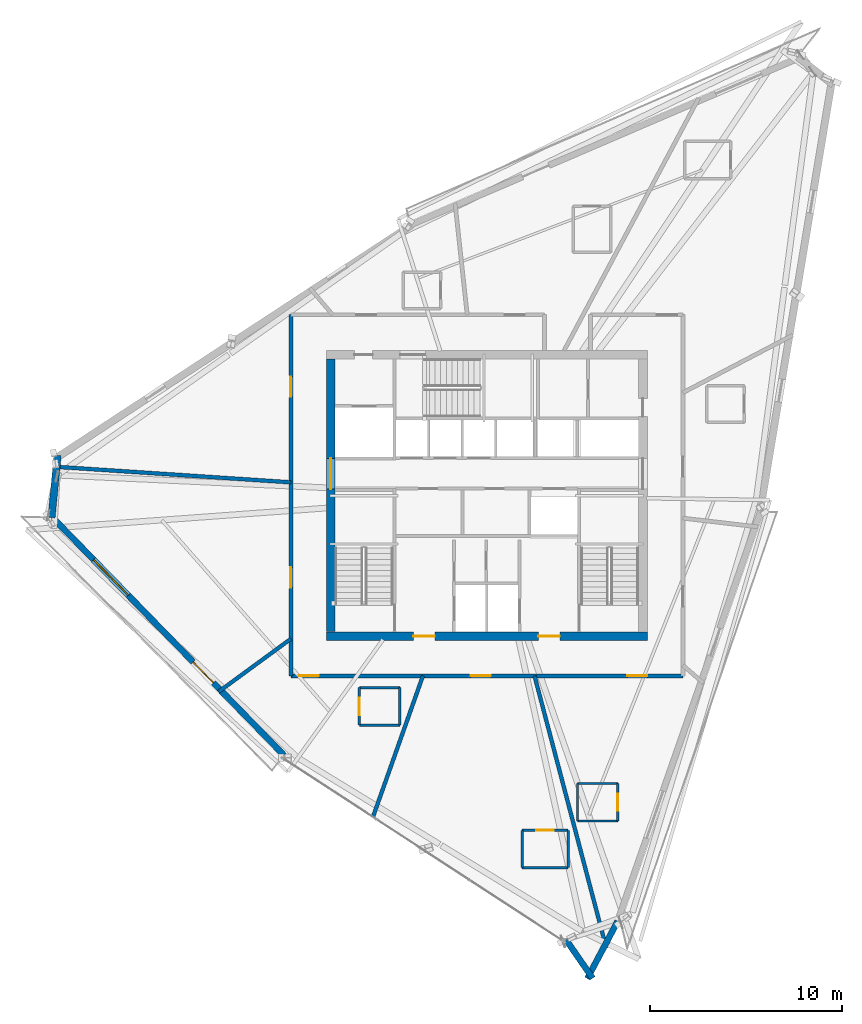
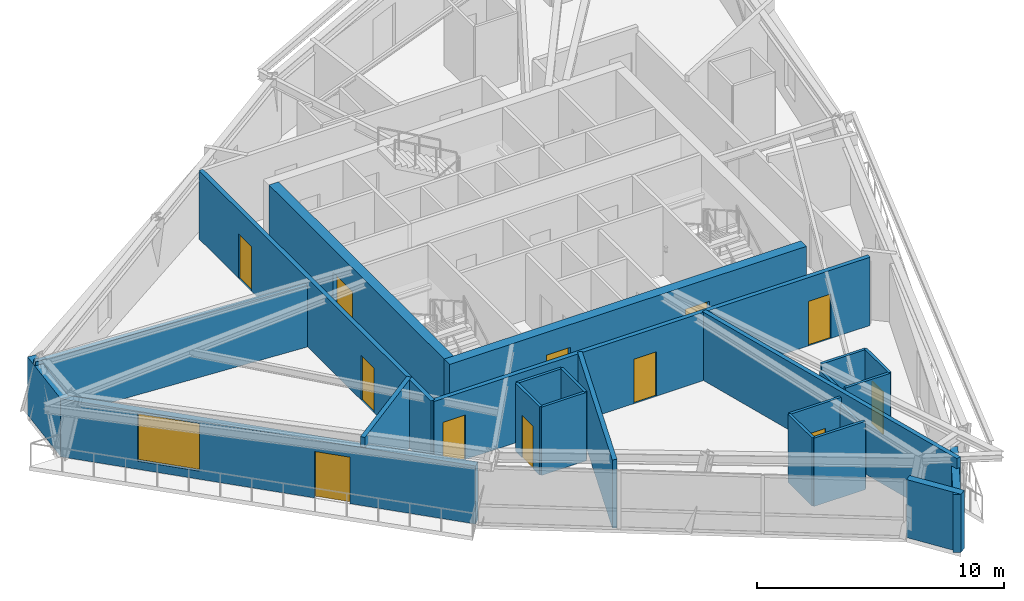
# One storey, part 8 of 14: 24 walls, 12 doors, 1 window, 13 openings.
"""IFC4 building model written with IfcOpenShell, lengths in metres."""

from ifc_helpers import new_model, si_unit, direction, frame, frame_2d, origin, place, context, subcontext, project, spatial, rectangle, extrude, source, transform, mapped, material, layer, layer_set, type_object, type_shapes, element, fill, save


model = new_model("IFC4")

# Units and contexts
model_context = context("Model", 3, precision=1e-05, world=origin(), true_north=direction((0.0, 1.0)))
body_context = subcontext(model_context, "Body", "Model", "MODEL_VIEW")
ifc_project = project(units=[si_unit("LENGTHUNIT", "METRE"), si_unit("AREAUNIT", "SQUARE_METRE"), si_unit("VOLUMEUNIT", "CUBIC_METRE"), si_unit("PLANEANGLEUNIT", "RADIAN"), si_unit("MASSUNIT", "GRAM", prefix="KILO")], contexts=[model_context])

# Site, building, storey
site_placement = place(None, origin())
site = spatial("IfcSite", under=ifc_project, at=site_placement, CompositionType="ELEMENT")
building_placement = place(site_placement, origin())
building = spatial("IfcBuilding", under=site, at=building_placement, Name="Olszyna Solenne Hotel", CompositionType="ELEMENT")
storey_placement = place(building_placement, frame((0.0, 0.0, 252.5)))
storey = spatial("IfcBuildingStorey", under=building, at=storey_placement, Name="L67", CompositionType="ELEMENT", Elevation=252.5)

# Wall, openings, doors
ifc_material_1 = material(Name="Concrete C50/60", Category="concrete")
ifc_layer_1 = layer(ifc_material_1, 0.449951171875, Name="Concrete C50/60")
ifc_layer_set_1 = layer_set([ifc_layer_1], Name="Concrete C50/60")
wall_type_1 = type_object("IfcWallType", Name="WL-CR450", PredefinedType="SHEAR", material=ifc_layer_set_1)
wall_1_placement = place(storey_placement, frame((46.35009765625, 19.27490234375, 0.0), z_axis=(0.0, 0.0, 1.0), x_axis=(-1.0, 0.0, 0.0)))
wall_1 = element("IfcWall", 1, at=wall_1_placement, inside=storey, type_object=wall_type_1, Name="Core shear wall WL-CR450 CRW-L67-S", PredefinedType="SHEAR", context=body_context, shape_type="SweptSolid", body=[
    extrude(rectangle(XDim=16.7001953125, YDim=0.449951171875, at=frame_2d((8.35009765625, 0.0))), origin(), (0.0, 0.0, 1.0), 3.3798828125),
])
opening_1_placement = place(wall_1_placement, frame((4.550048828125, 0.0, 0.0)))
opening_1 = element("IfcOpeningElement", 2, at=opening_1_placement, cuts=wall_1, Name="Opening FL-L67-1", PredefinedType="OPENING", context=body_context, shape_type="SweptSolid", body=[
    extrude(rectangle(XDim=1.1201171875, YDim=2.25, at=frame_2d((0.56005859375, 1.125))), frame((0.0, 0.23486328125, 0.0), z_axis=(0.0, -1.0, 0.0), x_axis=(1.0, 0.0, 0.0)), (0.0, 0.0, 1.0), 0.469970703125),
])
opening_2_placement = place(wall_1_placement, frame((11.050048828125, 0.0, 0.0)))
opening_2 = element("IfcOpeningElement", 3, at=opening_2_placement, cuts=wall_1, Name="Opening FL-L67-2", PredefinedType="OPENING", context=body_context, shape_type="SweptSolid", body=[
    extrude(rectangle(XDim=1.1201171875, YDim=2.25, at=frame_2d((0.56005859375, 1.125))), frame((0.0, 0.23486328125, 0.0), z_axis=(0.0, -1.0, 0.0), x_axis=(1.0, 0.0, 0.0)), (0.0, 0.0, 1.0), 0.469970703125),
])
ifc_material_2 = material(Name="Steel S355J2", Category="steel")
door_type_1 = type_object("IfcDoorType", Name="DR-FL1", OperationType="NOTDEFINED", PredefinedType="DOOR", material=ifc_material_2)
shared_shape_1 = source(origin(), body_context, "Body", "SweptSolid", [
    extrude(rectangle(XDim=1.1201171875, YDim=2.25, at=frame_2d((0.56005859375, 1.125))), frame((0.0, 0.02490234375, 0.0), z_axis=(0.0, -1.0, 0.0), x_axis=(1.0, 0.0, 0.0)), (0.0, 0.0, 1.0), 0.050048828125),
])
type_shapes(door_type_1, [shared_shape_1])
door_1_placement = place(opening_1_placement, origin())
door_1 = element("IfcDoor", 4, at=door_1_placement, inside=storey, type_object=door_type_1, Name="Firefighting lift lobby smoke door FL-L67-1", OperationType="SINGLE_SWING_LEFT", OverallHeight=2.25, OverallWidth=1.1201171875, PredefinedType="DOOR", context=body_context, shape_type="MappedRepresentation", body=[
    mapped(shared_shape_1, transform((0.0, 0.0, 0.0), x_axis=(1.0, 0.0, 0.0), y_axis=(0.0, 1.0, 0.0), z_axis=(0.0, 0.0, 1.0), scale=1.0)),
])
fill(opening_1, door_1)
door_2_placement = place(opening_2_placement, origin())
door_2 = element("IfcDoor", 5, at=door_2_placement, inside=storey, type_object=door_type_1, Name="Firefighting lift lobby smoke door FL-L67-2", OperationType="SINGLE_SWING_RIGHT", OverallHeight=2.25, OverallWidth=1.1201171875, PredefinedType="DOOR", context=body_context, shape_type="MappedRepresentation", body=[
    mapped(shared_shape_1, transform((0.0, 0.0, 0.0), x_axis=(1.0, 0.0, 0.0), y_axis=(0.0, 1.0, 0.0), z_axis=(0.0, 0.0, 1.0), scale=1.0)),
])
fill(opening_2, door_2)

# Wall, opening, door
wall_2_placement = place(storey_placement, frame((29.875, 19.5, 0.0), z_axis=(0.0, 0.0, 1.0), x_axis=(0.0, 1.0, 0.0)))
wall_2 = element("IfcWall", 6, at=wall_2_placement, inside=storey, type_object=wall_type_1, Name="Core shear wall WL-CR450 CRW-L67-W", PredefinedType="SHEAR", context=body_context, shape_type="SweptSolid", body=[
    extrude(rectangle(XDim=14.199951171875, YDim=0.449951171875, at=frame_2d((7.10009765625, 0.0))), origin(), (0.0, 0.0, 1.0), 3.3798828125),
])
opening_3_placement = place(wall_2_placement, frame((7.419921875, 0.0, 0.0)))
opening_3 = element("IfcOpeningElement", 7, at=opening_3_placement, cuts=wall_2, Name="Opening LHD-L67-W", PredefinedType="OPENING", context=body_context, shape_type="SweptSolid", body=[
    extrude(rectangle(XDim=1.60009765625, YDim=2.199951171875, at=frame_2d((0.800048828125, 1.10009765625))), frame((0.0, 0.23486328125, 0.0), z_axis=(0.0, -1.0, 0.0), x_axis=(1.0, 0.0, 0.0)), (0.0, 0.0, 1.0), 0.469970703125),
])
ifc_material_3 = material(Name="Timber hardwood", Category="wood")
door_type_2 = type_object("IfcDoorType", Name="DR-CR1", OperationType="DOUBLE_DOOR_SINGLE_SWING", PredefinedType="DOOR", material=ifc_material_3)
shared_shape_2 = source(origin(), body_context, "Body", "SweptSolid", [
    extrude(rectangle(XDim=1.60009765625, YDim=2.199951171875, at=frame_2d((0.800048828125, 1.10009765625))), frame((0.0, 0.02490234375, 0.0), z_axis=(0.0, -1.0, 0.0), x_axis=(1.0, 0.0, 0.0)), (0.0, 0.0, 1.0), 0.050048828125),
])
type_shapes(door_type_2, [shared_shape_2])
door_3_placement = place(opening_3_placement, origin())
door_3 = element("IfcDoor", 8, at=door_3_placement, inside=storey, type_object=door_type_2, Name="Passenger lift lobby West fire door LHD-L67-W", OperationType="DOUBLE_DOOR_SINGLE_SWING", OverallHeight=2.199951171875, OverallWidth=1.60009765625, PredefinedType="DOOR", context=body_context, shape_type="MappedRepresentation", body=[
    mapped(shared_shape_2, transform((0.0, 0.0, 0.0), x_axis=(1.0, 0.0, 0.0), y_axis=(0.0, 1.0, 0.0), z_axis=(0.0, 0.0, 1.0), scale=1.0)),
])
fill(opening_3, door_3)

# Walls
ifc_material_4 = material(Name="Precast concrete C45/55", Category="concrete")
ifc_layer_2 = layer(ifc_material_4, 0.320068359375, Name="Precast concrete C45/55")
ifc_layer_set_2 = layer_set([ifc_layer_2], Name="Precast concrete C45/55")
wall_type_2 = type_object("IfcWallType", Name="WL-EX320", PredefinedType="SOLIDWALL", material=ifc_layer_set_2)
wall_3_placement = place(storey_placement, frame((44.8115234375, 4.439697265625, 0.0), z_axis=(0.0, 0.0, 1.0), x_axis=(-0.467628956956, -0.883924860277, 0.0)))
element("IfcWall", 9, at=wall_3_placement, inside=storey, type_object=wall_type_2, Name="Exterior terracotta-precast frame wall WL-EX320 EW-L67-02", PredefinedType="SOLIDWALL", context=body_context, shape_type="SweptSolid", body=[
    extrude(rectangle(XDim=3.381591796875, YDim=0.320068359375, at=frame_2d((1.69091796875, 0.0))), origin(), (0.0, 0.0, 1.0), 2.8720703125),
])
wall_4_placement = place(storey_placement, frame((43.503173828125, 1.466796875, 0.0), z_axis=(0.0, 0.0, 1.0), x_axis=(-0.569023575379, 0.822321208934, 0.0)))
element("IfcWall", 10, at=wall_4_placement, inside=storey, type_object=wall_type_2, Name="Exterior terracotta-precast frame wall WL-EX320 EW-L67-03", PredefinedType="SOLIDWALL", context=body_context, shape_type="SweptSolid", body=[
    extrude(rectangle(XDim=2.4521484375, YDim=0.320068359375, at=frame_2d((1.22607421875, 0.0))), origin(), (0.0, 0.0, 1.0), 2.8720703125),
])

# Wall, openings, door, window
wall_5_placement = place(storey_placement, frame((27.4560546875, 13.0517578125, 0.0), z_axis=(0.0, 0.0, 1.0), x_axis=(-0.697464355139, 0.71661947595, 0.0)))
wall_5 = element("IfcWall", 11, at=wall_5_placement, inside=storey, type_object=wall_type_2, Name="Exterior terracotta-precast frame wall WL-EX320 EW-L67-05", PredefinedType="SOLIDWALL", context=body_context, shape_type="SweptSolid", body=[
    extrude(rectangle(XDim=17.47412109375, YDim=0.320068359375, at=frame_2d((8.737060546875, 0.0))), origin(), (0.0, 0.0, 1.0), 2.8720703125),
])
opening_4_placement = place(wall_5_placement, frame((5.2919921875, 0.0, 0.0)))
opening_4 = element("IfcOpeningElement", 12, at=opening_4_placement, cuts=wall_5, Name="Opening LDG-L67-2", PredefinedType="OPENING", context=body_context, shape_type="SweptSolid", body=[
    extrude(rectangle(XDim=1.5, YDim=2.300048828125, at=frame_2d((0.75, 1.14990234375))), frame((0.0, 0.169921875, 0.0), z_axis=(0.0, -1.0, 0.0), x_axis=(1.0, 0.0, 0.0)), (0.0, 0.0, 1.0), 0.340087890625),
])
opening_5_placement = place(wall_5_placement, frame((11.631103515625, 0.0, 0.402099609375)))
opening_5 = element("IfcOpeningElement", 13, at=opening_5_placement, cuts=wall_5, Name="Opening WN-L67-442", PredefinedType="OPENING", context=body_context, shape_type="SweptSolid", body=[
    extrude(rectangle(XDim=2.60009765625, YDim=2.35009765625, at=frame_2d((1.300048828125, 1.175048828125))), frame((0.0, 0.169921875, 0.0), z_axis=(0.0, -1.0, 0.0), x_axis=(1.0, 0.0, 0.0)), (0.0, 0.0, 1.0), 0.340087890625),
])
ifc_material_5 = material(Name="Anodised bronze aluminium", Category="aluminium")
door_type_3 = type_object("IfcDoorType", Name="DR-LG2", OperationType="DOUBLE_DOOR_SINGLE_SWING", PredefinedType="DOOR", material=ifc_material_5)
shared_shape_3 = source(origin(), body_context, "Body", "SweptSolid", [
    extrude(rectangle(XDim=1.5, YDim=2.300048828125, at=frame_2d((0.75, 1.14990234375))), frame((0.0, 0.02490234375, 0.0), z_axis=(0.0, -1.0, 0.0), x_axis=(1.0, 0.0, 0.0)), (0.0, 0.0, 1.0), 0.050048828125),
])
type_shapes(door_type_3, [shared_shape_3])
door_4_placement = place(opening_4_placement, origin())
door_4 = element("IfcDoor", 14, at=door_4_placement, inside=storey, type_object=door_type_3, Name="Exterior loggia balcony door DR-LG2 LDG-L67-2", OperationType="DOUBLE_DOOR_SINGLE_SWING", OverallHeight=2.300048828125, OverallWidth=1.5, PredefinedType="DOOR", context=body_context, shape_type="MappedRepresentation", body=[
    mapped(shared_shape_3, transform((0.0, 0.0, 0.0), x_axis=(1.0, 0.0, 0.0), y_axis=(0.0, 1.0, 0.0), z_axis=(0.0, 0.0, 1.0), scale=1.0)),
])
fill(opening_4, door_4)
ifc_material_6 = material(Name="Low-E triple glazing", Category="glass")
window_type = type_object("IfcWindowType", Name="WN-ST1", PartitioningType="SINGLE_PANEL", PredefinedType="WINDOW", material=ifc_material_6)
shared_shape_4 = source(origin(), body_context, "Body", "SweptSolid", [
    extrude(rectangle(XDim=2.60009765625, YDim=2.35009765625, at=frame_2d((1.300048828125, 1.175048828125))), frame((0.0, 0.030029296875, 0.0), z_axis=(0.0, -1.0, 0.0), x_axis=(1.0, 0.0, 0.0)), (0.0, 0.0, 1.0), 0.06005859375),
])
type_shapes(window_type, [shared_shape_4])
window_placement = place(opening_5_placement, origin())
window = element("IfcWindow", 15, at=window_placement, inside=storey, type_object=window_type, Name="Loggia room window WN-ST1 WN-L67-442", OverallHeight=2.35009765625, OverallWidth=2.60009765625, PartitioningType="SINGLE_PANEL", PredefinedType="WINDOW", context=body_context, shape_type="MappedRepresentation", body=[
    mapped(shared_shape_4, transform((0.0, 0.0, 0.0), x_axis=(1.0, 0.0, 0.0), y_axis=(0.0, 1.0, 0.0), z_axis=(0.0, 0.0, 1.0), scale=1.0)),
])
fill(opening_5, window)

# Walls
ifc_material_7 = material(Name="Terracotta cladding on precast concrete C45/55", Category="masonry")
ifc_layer_3 = layer(ifc_material_7, 0.3798828125, Name="Terracotta cladding on precast concrete C45/55")
ifc_layer_set_3 = layer_set([ifc_layer_3], Name="Terracotta cladding on precast concrete C45/55")
wall_type_3 = type_object("IfcWallType", Name="WL-EX380", PredefinedType="SOLIDWALL", material=ifc_layer_set_3)
wall_6_placement = place(storey_placement, frame((15.343017578125, 25.44384765625, 0.0), z_axis=(0.0, 0.0, 1.0), x_axis=(0.097555380109, 0.995230097923, 0.0)))
element("IfcWall", 16, at=wall_6_placement, inside=storey, type_object=wall_type_3, Name="Exterior terracotta-precast frame wall WL-EX380 EW-L67-06", PredefinedType="SOLIDWALL", context=body_context, shape_type="SweptSolid", body=[
    extrude(rectangle(XDim=3.2509765625, YDim=0.3798828125, at=frame_2d((1.62548828125, 0.0))), origin(), (0.0, 0.0, 1.0), 2.8720703125),
])
ifc_material_8 = material(Name="Acoustic gypsum partition", Category="gypsum")
ifc_layer_4 = layer(ifc_material_8, 0.125, Name="Acoustic gypsum partition")
ifc_layer_set_4 = layer_set([ifc_layer_4], Name="Acoustic gypsum partition")
wall_type_4 = type_object("IfcWallType", Name="WL-PT125", PredefinedType="PARTITIONING", material=ifc_layer_set_4)
wall_7_placement = place(storey_placement, frame((42.23291015625, 7.218017578125, 0.0), z_axis=(0.0, 0.0, 1.0), x_axis=(0.0, 1.0, 0.0)))
element("IfcWall", 17, at=wall_7_placement, inside=storey, type_object=wall_type_4, Name="Interior acoustic partition WL-PT125 PW-L67-3730", PredefinedType="PARTITIONING", context=body_context, shape_type="SweptSolid", body=[
    extrude(rectangle(XDim=1.949951171875, YDim=0.125, at=frame_2d((0.97509765625, 0.0))), origin(), (0.0, 0.0, 1.0), 3.054931640625),
])

# Wall, opening, door
wall_8_placement = place(storey_placement, frame((42.23291015625, 9.16796875, 0.0), z_axis=(0.0, 0.0, 1.0), x_axis=(-1.0, 0.0, 0.0)))
wall_8 = element("IfcWall", 18, at=wall_8_placement, inside=storey, type_object=wall_type_4, Name="Interior acoustic partition WL-PT125 PW-L67-3731", PredefinedType="PARTITIONING", context=body_context, shape_type="SweptSolid", body=[
    extrude(rectangle(XDim=2.39990234375, YDim=0.125, at=frame_2d((1.199951171875, 0.0))), origin(), (0.0, 0.0, 1.0), 3.3798828125),
])
opening_6_placement = place(wall_8_placement, frame((0.75, 0.0, 0.0)))
opening_6 = element("IfcOpeningElement", 19, at=opening_6_placement, cuts=wall_8, Name="Opening DR-L67-0907", PredefinedType="OPENING", context=body_context, shape_type="SweptSolid", body=[
    extrude(rectangle(XDim=0.89990234375, YDim=2.10009765625, at=frame_2d((0.449951171875, 1.050048828125))), frame((0.0, 0.072509765625, 0.0), z_axis=(0.0, -1.0, 0.0), x_axis=(1.0, 0.0, 0.0)), (0.0, 0.0, 1.0), 0.14501953125),
])
door_type_4 = type_object("IfcDoorType", Name="DR-WC1", OperationType="NOTDEFINED", PredefinedType="DOOR", material=ifc_material_3)
shared_shape_5 = source(origin(), body_context, "Body", "SweptSolid", [
    extrude(rectangle(XDim=0.89990234375, YDim=2.10009765625, at=frame_2d((0.449951171875, 1.050048828125))), frame((0.0, 0.02490234375, 0.0), z_axis=(0.0, -1.0, 0.0), x_axis=(1.0, 0.0, 0.0)), (0.0, 0.0, 1.0), 0.050048828125),
])
type_shapes(door_type_4, [shared_shape_5])
door_5_placement = place(opening_6_placement, origin())
door_5 = element("IfcDoor", 20, at=door_5_placement, inside=storey, type_object=door_type_4, Name="En-Suite Bathroom Door DR-L67-0907", OperationType="SINGLE_SWING_LEFT", OverallHeight=2.10009765625, OverallWidth=0.89990234375, PredefinedType="DOOR", context=body_context, shape_type="MappedRepresentation", body=[
    mapped(shared_shape_5, transform((0.0, 0.0, 0.0), x_axis=(1.0, 0.0, 0.0), y_axis=(0.0, 1.0, 0.0), z_axis=(0.0, 0.0, 1.0), scale=1.0)),
])
fill(opening_6, door_5)

# Walls
wall_9_placement = place(storey_placement, frame((39.8330078125, 9.16796875, 0.0), z_axis=(0.0, 0.0, 1.0), x_axis=(0.0, -1.0, 0.0)))
element("IfcWall", 21, at=wall_9_placement, inside=storey, type_object=wall_type_4, Name="Interior acoustic partition WL-PT125 PW-L67-3732", PredefinedType="PARTITIONING", context=body_context, shape_type="SweptSolid", body=[
    extrude(rectangle(XDim=1.949951171875, YDim=0.125, at=frame_2d((0.97509765625, 0.0))), origin(), (0.0, 0.0, 1.0), 3.3798828125),
])
wall_10_placement = place(storey_placement, frame((39.8330078125, 7.218017578125, 0.0), z_axis=(0.0, 0.0, 1.0), x_axis=(1.0, 0.0, 0.0)))
element("IfcWall", 22, at=wall_10_placement, inside=storey, type_object=wall_type_4, Name="Interior acoustic partition WL-PT125 PW-L67-3733", PredefinedType="PARTITIONING", context=body_context, shape_type="SweptSolid", body=[
    extrude(rectangle(XDim=2.39990234375, YDim=0.125, at=frame_2d((1.199951171875, 0.0))), origin(), (0.0, 0.0, 1.0), 3.3798828125),
])

# Wall, opening, door
wall_11_placement = place(storey_placement, frame((44.81494140625, 9.64990234375, 0.0), z_axis=(0.0, 0.0, 1.0), x_axis=(0.0, 1.0, 0.0)))
wall_11 = element("IfcWall", 23, at=wall_11_placement, inside=storey, type_object=wall_type_4, Name="Interior acoustic partition WL-PT125 PW-L67-3734", PredefinedType="PARTITIONING", context=body_context, shape_type="SweptSolid", body=[
    extrude(rectangle(XDim=1.9501953125, YDim=0.125, at=frame_2d((0.97509765625, 0.0))), origin(), (0.0, 0.0, 1.0), 3.3798828125),
])
opening_7_placement = place(wall_11_placement, frame((0.52490234375, 0.0, 0.0)))
opening_7 = element("IfcOpeningElement", 24, at=opening_7_placement, cuts=wall_11, Name="Opening DR-L67-0908", PredefinedType="OPENING", context=body_context, shape_type="SweptSolid", body=[
    extrude(rectangle(XDim=0.89990234375, YDim=2.10009765625, at=frame_2d((0.449951171875, 1.050048828125))), frame((0.0, 0.072509765625, 0.0), z_axis=(0.0, -1.0, 0.0), x_axis=(1.0, 0.0, 0.0)), (0.0, 0.0, 1.0), 0.14501953125),
])
door_6_placement = place(opening_7_placement, origin())
door_6 = element("IfcDoor", 25, at=door_6_placement, inside=storey, type_object=door_type_4, Name="En-Suite Bathroom Door DR-L67-0908", OperationType="SINGLE_SWING_RIGHT", OverallHeight=2.10009765625, OverallWidth=0.89990234375, PredefinedType="DOOR", context=body_context, shape_type="MappedRepresentation", body=[
    mapped(shared_shape_5, transform((0.0, 0.0, 0.0), x_axis=(1.0, 0.0, 0.0), y_axis=(0.0, 1.0, 0.0), z_axis=(0.0, 0.0, 1.0), scale=1.0)),
])
fill(opening_7, door_6)

# Walls
wall_12_placement = place(storey_placement, frame((44.81494140625, 11.60009765625, 0.0), z_axis=(0.0, 0.0, 1.0), x_axis=(-1.0, 0.0, 0.0)))
element("IfcWall", 26, at=wall_12_placement, inside=storey, type_object=wall_type_4, Name="Interior acoustic partition WL-PT125 PW-L67-3735", PredefinedType="PARTITIONING", context=body_context, shape_type="SweptSolid", body=[
    extrude(rectangle(XDim=2.099853515625, YDim=0.125, at=frame_2d((1.0498046875, 0.0))), origin(), (0.0, 0.0, 1.0), 3.3798828125),
])
wall_13_placement = place(storey_placement, frame((42.715087890625, 11.60009765625, 0.0), z_axis=(0.0, 0.0, 1.0), x_axis=(0.0, -1.0, 0.0)))
element("IfcWall", 27, at=wall_13_placement, inside=storey, type_object=wall_type_4, Name="Interior acoustic partition WL-PT125 PW-L67-3736", PredefinedType="PARTITIONING", context=body_context, shape_type="SweptSolid", body=[
    extrude(rectangle(XDim=1.9501953125, YDim=0.125, at=frame_2d((0.97509765625, 0.0))), origin(), (0.0, 0.0, 1.0), 3.054931640625),
])
wall_14_placement = place(storey_placement, frame((42.715087890625, 9.64990234375, 0.0), z_axis=(0.0, 0.0, 1.0), x_axis=(1.0, 0.0, 0.0)))
element("IfcWall", 28, at=wall_14_placement, inside=storey, type_object=wall_type_4, Name="Interior acoustic partition WL-PT125 PW-L67-3737", PredefinedType="PARTITIONING", context=body_context, shape_type="SweptSolid", body=[
    extrude(rectangle(XDim=2.099853515625, YDim=0.125, at=frame_2d((1.0498046875, 0.0))), origin(), (0.0, 0.0, 1.0), 3.3798828125),
])
wall_15_placement = place(storey_placement, frame((33.468017578125, 14.636962890625, 0.0), z_axis=(0.0, 0.0, 1.0), x_axis=(0.0, 1.0, 0.0)))
element("IfcWall", 29, at=wall_15_placement, inside=storey, type_object=wall_type_4, Name="Interior acoustic partition WL-PT125 PW-L67-3754", PredefinedType="PARTITIONING", context=body_context, shape_type="SweptSolid", body=[
    extrude(rectangle(XDim=1.949951171875, YDim=0.125, at=frame_2d((0.97509765625, 0.0))), origin(), (0.0, 0.0, 1.0), 3.3798828125),
])
wall_16_placement = place(storey_placement, frame((33.468017578125, 16.5869140625, 0.0), z_axis=(0.0, 0.0, 1.0), x_axis=(-1.0, 0.0, 0.0)))
element("IfcWall", 30, at=wall_16_placement, inside=storey, type_object=wall_type_4, Name="Interior acoustic partition WL-PT125 PW-L67-3755", PredefinedType="PARTITIONING", context=body_context, shape_type="SweptSolid", body=[
    extrude(rectangle(XDim=2.10009765625, YDim=0.125, at=frame_2d((1.050048828125, 0.0))), origin(), (0.0, 0.0, 1.0), 3.3798828125),
])

# Wall, opening, door
wall_17_placement = place(storey_placement, frame((31.367919921875, 16.5869140625, 0.0), z_axis=(0.0, 0.0, 1.0), x_axis=(0.0, -1.0, 0.0)))
wall_17 = element("IfcWall", 31, at=wall_17_placement, inside=storey, type_object=wall_type_4, Name="Interior acoustic partition WL-PT125 PW-L67-3756", PredefinedType="PARTITIONING", context=body_context, shape_type="SweptSolid", body=[
    extrude(rectangle(XDim=1.949951171875, YDim=0.125, at=frame_2d((0.97509765625, 0.0))), origin(), (0.0, 0.0, 1.0), 3.3798828125),
])
opening_8_placement = place(wall_17_placement, frame((0.52490234375, 0.0, 0.0)))
opening_8 = element("IfcOpeningElement", 32, at=opening_8_placement, cuts=wall_17, Name="Opening DR-L67-0913", PredefinedType="OPENING", context=body_context, shape_type="SweptSolid", body=[
    extrude(rectangle(XDim=0.89990234375, YDim=2.10009765625, at=frame_2d((0.449951171875, 1.050048828125))), frame((0.0, 0.072509765625, 0.0), z_axis=(0.0, -1.0, 0.0), x_axis=(1.0, 0.0, 0.0)), (0.0, 0.0, 1.0), 0.14501953125),
])
door_7_placement = place(opening_8_placement, origin())
door_7 = element("IfcDoor", 33, at=door_7_placement, inside=storey, type_object=door_type_4, Name="En-Suite Bathroom Door DR-L67-0913", OperationType="SINGLE_SWING_RIGHT", OverallHeight=2.10009765625, OverallWidth=0.89990234375, PredefinedType="DOOR", context=body_context, shape_type="MappedRepresentation", body=[
    mapped(shared_shape_5, transform((0.0, 0.0, 0.0), x_axis=(1.0, 0.0, 0.0), y_axis=(0.0, 1.0, 0.0), z_axis=(0.0, 0.0, 1.0), scale=1.0)),
])
fill(opening_8, door_7)

# Walls
wall_18_placement = place(storey_placement, frame((31.367919921875, 14.636962890625, 0.0), z_axis=(0.0, 0.0, 1.0), x_axis=(1.0, 0.0, 0.0)))
element("IfcWall", 34, at=wall_18_placement, inside=storey, type_object=wall_type_4, Name="Interior acoustic partition WL-PT125 PW-L67-3757", PredefinedType="PARTITIONING", context=body_context, shape_type="SweptSolid", body=[
    extrude(rectangle(XDim=2.10009765625, YDim=0.125, at=frame_2d((1.050048828125, 0.0))), origin(), (0.0, 0.0, 1.0), 3.3798828125),
])
ifc_layer_5 = layer(ifc_material_8, 0.199951171875, Name="Acoustic gypsum partition")
ifc_layer_set_5 = layer_set([ifc_layer_5], Name="Acoustic gypsum partition")
wall_type_5 = type_object("IfcWallType", Name="WL-PT200", PredefinedType="PARTITIONING", material=ifc_layer_set_5)
wall_19_placement = place(storey_placement, frame((34.67138671875, 17.199951171875, 0.0), z_axis=(0.0, 0.0, 1.0), x_axis=(-0.333820355847, -0.942636711582, 0.0)))
element("IfcWall", 35, at=wall_19_placement, inside=storey, type_object=wall_type_5, Name="Interior acoustic partition WL-PT200 PW-L67-3720", PredefinedType="PARTITIONING", context=body_context, shape_type="SweptSolid", body=[
    extrude(rectangle(XDim=7.76123046875, YDim=0.199951171875, at=frame_2d((3.880615234375, 0.0))), origin(), (0.0, 0.0, 1.0), 3.3798828125),
])
wall_20_placement = place(storey_placement, frame((40.481201171875, 17.199951171875, 0.0), z_axis=(0.0, 0.0, 1.0), x_axis=(0.255204698794, -0.96688704703, 0.0)))
element("IfcWall", 36, at=wall_20_placement, inside=storey, type_object=wall_type_5, Name="Interior acoustic partition WL-PT200 PW-L67-3721", PredefinedType="PARTITIONING", context=body_context, shape_type="SweptSolid", body=[
    extrude(rectangle(XDim=14.644287109375, YDim=0.199951171875, at=frame_2d((7.322265625, 0.0))), origin(), (0.0, 0.0, 1.0), 3.3798828125),
])
wall_21_placement = place(storey_placement, frame((27.800048828125, 27.27490234375, 0.0), z_axis=(0.0, 0.0, 1.0), x_axis=(-0.997817226198, 0.066036225681, 0.0)))
element("IfcWall", 37, at=wall_21_placement, inside=storey, type_object=wall_type_5, Name="Interior acoustic partition WL-PT200 PW-L67-3728", PredefinedType="PARTITIONING", context=body_context, shape_type="SweptSolid", body=[
    extrude(rectangle(XDim=12.38525390625, YDim=0.199951171875, at=frame_2d((6.192626953125, 0.0))), origin(), (0.0, 0.0, 1.0), 3.054931640625),
])
wall_22_placement = place(storey_placement, frame((27.800048828125, 19.130859375, 0.0), z_axis=(0.0, 0.0, 1.0), x_axis=(-0.80679773716, -0.590827734042, 0.0)))
element("IfcWall", 38, at=wall_22_placement, inside=storey, type_object=wall_type_5, Name="Interior acoustic partition WL-PT200 PW-L67-3729", PredefinedType="PARTITIONING", context=body_context, shape_type="SweptSolid", body=[
    extrude(rectangle(XDim=4.661865234375, YDim=0.199951171875, at=frame_2d((2.3310546875, 0.0))), origin(), (0.0, 0.0, 1.0), 3.3798828125),
])

# Wall, openings, doors
wall_23_placement = place(storey_placement, frame((27.800048828125, 17.199951171875, 0.0), z_axis=(0.0, 0.0, 1.0), x_axis=(1.0, 0.0, 0.0)))
wall_23 = element("IfcWall", 39, at=wall_23_placement, inside=storey, type_object=wall_type_5, Name="Interior acoustic partition WL-PT200 PW-L67-3758", PredefinedType="PARTITIONING", context=body_context, shape_type="SweptSolid", body=[
    extrude(rectangle(XDim=20.39990234375, YDim=0.199951171875, at=frame_2d((10.199951171875, 0.0))), origin(), (0.0, 0.0, 1.0), 3.3798828125),
])
opening_9_placement = place(wall_23_placement, frame((9.35595703125, 0.0, 0.0)))
opening_9 = element("IfcOpeningElement", 40, at=opening_9_placement, cuts=wall_23, Name="Opening DR-L67-0914", PredefinedType="OPENING", context=body_context, shape_type="SweptSolid", body=[
    extrude(rectangle(XDim=1.050048828125, YDim=2.199951171875, at=frame_2d((0.52490234375, 1.10009765625))), frame((0.0, 0.10986328125, 0.0), z_axis=(0.0, -1.0, 0.0), x_axis=(1.0, 0.0, 0.0)), (0.0, 0.0, 1.0), 0.219970703125),
])
opening_10_placement = place(wall_23_placement, frame((17.510009765625, 0.0, 0.0)))
opening_10 = element("IfcOpeningElement", 41, at=opening_10_placement, cuts=wall_23, Name="Opening DR-L67-0915", PredefinedType="OPENING", context=body_context, shape_type="SweptSolid", body=[
    extrude(rectangle(XDim=1.050048828125, YDim=2.199951171875, at=frame_2d((0.52490234375, 1.10009765625))), frame((0.0, 0.10986328125, 0.0), z_axis=(0.0, -1.0, 0.0), x_axis=(1.0, 0.0, 0.0)), (0.0, 0.0, 1.0), 0.219970703125),
])
opening_11_placement = place(wall_23_placement, frame((0.412109375, 0.0, 0.0)))
opening_11 = element("IfcOpeningElement", 42, at=opening_11_placement, cuts=wall_23, Name="Opening DR-L67-0916", PredefinedType="OPENING", context=body_context, shape_type="SweptSolid", body=[
    extrude(rectangle(XDim=1.050048828125, YDim=2.199951171875, at=frame_2d((0.52490234375, 1.10009765625))), frame((0.0, 0.10986328125, 0.0), z_axis=(0.0, -1.0, 0.0), x_axis=(1.0, 0.0, 0.0)), (0.0, 0.0, 1.0), 0.219970703125),
])
door_type_5 = type_object("IfcDoorType", Name="DR-RM2", OperationType="NOTDEFINED", PredefinedType="DOOR", material=ifc_material_3)
shared_shape_6 = source(origin(), body_context, "Body", "SweptSolid", [
    extrude(rectangle(XDim=1.050048828125, YDim=2.199951171875, at=frame_2d((0.52490234375, 1.10009765625))), frame((0.0, 0.02490234375, 0.0), z_axis=(0.0, -1.0, 0.0), x_axis=(1.0, 0.0, 0.0)), (0.0, 0.0, 1.0), 0.050048828125),
])
type_shapes(door_type_5, [shared_shape_6])
door_8_placement = place(opening_9_placement, origin())
door_8 = element("IfcDoor", 43, at=door_8_placement, inside=storey, type_object=door_type_5, Name="Deluxe Hotel Guestroom Entrance Door DR-L67-0914", OperationType="SINGLE_SWING_RIGHT", OverallHeight=2.199951171875, OverallWidth=1.050048828125, PredefinedType="DOOR", context=body_context, shape_type="MappedRepresentation", body=[
    mapped(shared_shape_6, transform((0.0, 0.0, 0.0), x_axis=(1.0, 0.0, 0.0), y_axis=(0.0, 1.0, 0.0), z_axis=(0.0, 0.0, 1.0), scale=1.0)),
])
fill(opening_9, door_8)
door_9_placement = place(opening_10_placement, origin())
door_9 = element("IfcDoor", 44, at=door_9_placement, inside=storey, type_object=door_type_5, Name="Deluxe Hotel Guestroom Entrance Door DR-L67-0915", OperationType="SINGLE_SWING_LEFT", OverallHeight=2.199951171875, OverallWidth=1.050048828125, PredefinedType="DOOR", context=body_context, shape_type="MappedRepresentation", body=[
    mapped(shared_shape_6, transform((0.0, 0.0, 0.0), x_axis=(1.0, 0.0, 0.0), y_axis=(0.0, 1.0, 0.0), z_axis=(0.0, 0.0, 1.0), scale=1.0)),
])
fill(opening_10, door_9)
door_10_placement = place(opening_11_placement, origin())
door_10 = element("IfcDoor", 45, at=door_10_placement, inside=storey, type_object=door_type_5, Name="Executive Reading Salon Entrance Door DR-L67-0916", OperationType="SINGLE_SWING_LEFT", OverallHeight=2.199951171875, OverallWidth=1.050048828125, PredefinedType="DOOR", context=body_context, shape_type="MappedRepresentation", body=[
    mapped(shared_shape_6, transform((0.0, 0.0, 0.0), x_axis=(1.0, 0.0, 0.0), y_axis=(0.0, 1.0, 0.0), z_axis=(0.0, 0.0, 1.0), scale=1.0)),
])
fill(opening_11, door_10)

wall_24_placement = place(storey_placement, frame((27.800048828125, 17.199951171875, 0.0), z_axis=(0.0, 0.0, 1.0), x_axis=(0.0, 1.0, 0.0)))
wall_24 = element("IfcWall", 46, at=wall_24_placement, inside=storey, type_object=wall_type_5, Name="Interior acoustic partition WL-PT200 PW-L67-3759", PredefinedType="PARTITIONING", context=body_context, shape_type="SweptSolid", body=[
    extrude(rectangle(XDim=18.800048828125, YDim=0.199951171875, at=frame_2d((9.39990234375, 0.0))), origin(), (0.0, 0.0, 1.0), 3.3798828125),
])
opening_12_placement = place(wall_24_placement, frame((14.52587890625, 0.0, 0.0)))
opening_12 = element("IfcOpeningElement", 47, at=opening_12_placement, cuts=wall_24, Name="Opening DR-L67-0917", PredefinedType="OPENING", context=body_context, shape_type="SweptSolid", body=[
    extrude(rectangle(XDim=1.050048828125, YDim=2.199951171875, at=frame_2d((0.52490234375, 1.10009765625))), frame((0.0, 0.10986328125, 0.0), z_axis=(0.0, -1.0, 0.0), x_axis=(1.0, 0.0, 0.0)), (0.0, 0.0, 1.0), 0.219970703125),
])
opening_13_placement = place(wall_24_placement, frame((4.596923828125, 0.0, 0.0)))
opening_13 = element("IfcOpeningElement", 48, at=opening_13_placement, cuts=wall_24, Name="Opening DR-L67-0918", PredefinedType="OPENING", context=body_context, shape_type="SweptSolid", body=[
    extrude(rectangle(XDim=1.050048828125, YDim=2.199951171875, at=frame_2d((0.52490234375, 1.10009765625))), frame((0.0, 0.10986328125, 0.0), z_axis=(0.0, -1.0, 0.0), x_axis=(1.0, 0.0, 0.0)), (0.0, 0.0, 1.0), 0.219970703125),
])
door_11_placement = place(opening_12_placement, origin())
door_11 = element("IfcDoor", 49, at=door_11_placement, inside=storey, type_object=door_type_5, Name="Breakfast Tasting Salon Entrance Door DR-L67-0917", OperationType="SINGLE_SWING_LEFT", OverallHeight=2.199951171875, OverallWidth=1.050048828125, PredefinedType="DOOR", context=body_context, shape_type="MappedRepresentation", body=[
    mapped(shared_shape_6, transform((0.0, 0.0, 0.0), x_axis=(1.0, 0.0, 0.0), y_axis=(0.0, 1.0, 0.0), z_axis=(0.0, 0.0, 1.0), scale=1.0)),
])
fill(opening_12, door_11)
door_12_placement = place(opening_13_placement, origin())
door_12 = element("IfcDoor", 50, at=door_12_placement, inside=storey, type_object=door_type_5, Name="Boutique Art Gallery Entrance Door DR-L67-0918", OperationType="SINGLE_SWING_RIGHT", OverallHeight=2.199951171875, OverallWidth=1.050048828125, PredefinedType="DOOR", context=body_context, shape_type="MappedRepresentation", body=[
    mapped(shared_shape_6, transform((0.0, 0.0, 0.0), x_axis=(1.0, 0.0, 0.0), y_axis=(0.0, 1.0, 0.0), z_axis=(0.0, 0.0, 1.0), scale=1.0)),
])
fill(opening_13, door_12)

save(model, "model.ifc")
